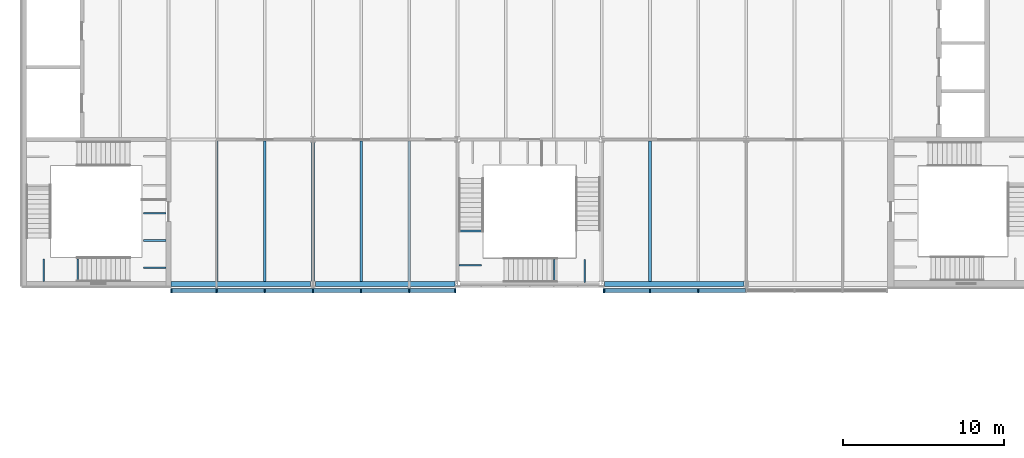
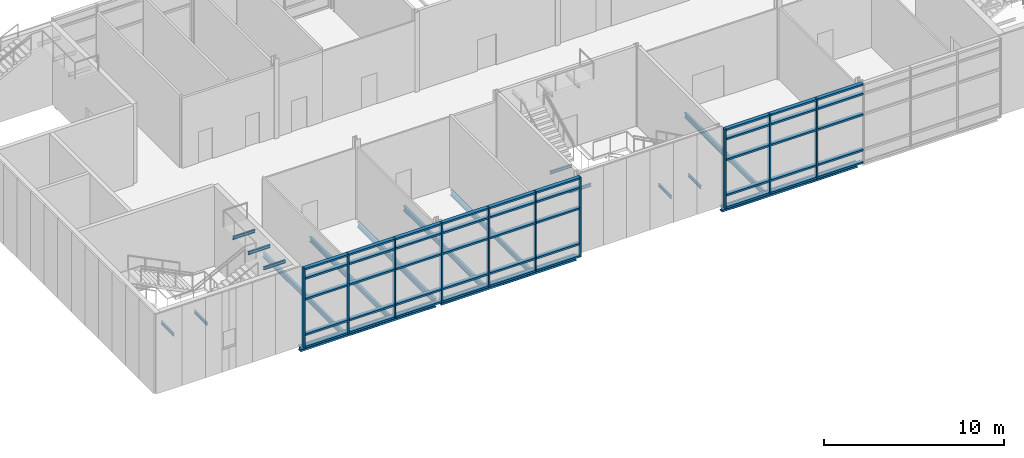
# One storey, part 13 of 52: 55 members, 18 beams, 2 elements without a shape of their own.
"""IFC4 building model written with IfcOpenShell, lengths in metres."""

from ifc_helpers import new_model, si_unit, direction, frame, origin, origin_2d, place, context, subcontext, project, spatial, rectangle, i_section, extrude, material, material_profile, profile_set, type_object, element, aggregate, save


model = new_model("IFC4")

# Units and contexts
model_context = context("Model", 3, precision=1e-05, world=origin(), true_north=direction((0.0, 1.0)))
body_context = subcontext(model_context, "Body", "Model", "MODEL_VIEW")
ifc_project = project(units=[si_unit("LENGTHUNIT", "METRE"), si_unit("AREAUNIT", "SQUARE_METRE"), si_unit("VOLUMEUNIT", "CUBIC_METRE"), si_unit("PLANEANGLEUNIT", "RADIAN"), si_unit("MASSUNIT", "GRAM", prefix="KILO")], contexts=[model_context])

# Site, building, storey
site_placement = place(None, origin())
site = spatial("IfcSite", under=ifc_project, at=site_placement, CompositionType="ELEMENT")
building_placement = place(site_placement, origin())
building = spatial("IfcBuilding", under=site, at=building_placement, Name="Azimuth Sports and Learning Centre", CompositionType="ELEMENT")
storey_placement = place(building_placement, frame((0.0, 0.0, 16.199951171875)))
storey = spatial("IfcBuildingStorey", under=building, at=storey_placement, Name="L03", CompositionType="ELEMENT", Elevation=16.199951171875)

# Beams
ifc_material_1 = material(Name="Steel S355", Category="steel")
ifc_material_profile_1 = material_profile(ifc_material_1, i_section(OverallWidth=0.10009765625, OverallDepth=0.199951171875, WebThickness=0.005615234375, FlangeThickness=0.008544921875, FilletRadius=0.011962890625, at=origin_2d()), Name="IPE 200")
ifc_profile_set_1 = profile_set([ifc_material_profile_1], Name="Steel S355")
beam_type_1 = type_object("IfcBeamType", Name="Beam IPE 200", PredefinedType="BEAM", material=ifc_profile_set_1)
for number, where, z_axis, x_axis, name in (
    (1, (1.222412109375, 90.14990234375, 3.300048828125), (0.0, 1.0, 0.0), (-1.0, 0.0, 0.0), "Landing bracket WW1 L03 742"),
    (2, (3.347412109375, 90.14990234375, 3.300048828125), (0.0, 1.0, 0.0), (-1.0, 0.0, 0.0), "Landing bracket WW1 L03 743"),
    (3, (8.85009765625, 91.00830078125, 5.10009765625), (-1.0, 0.0, 0.0), (0.0, -1.0, 0.0), "Landing bracket WW1 L03 744"),
    (4, (8.85009765625, 92.705078125, 5.10009765625), (-1.0, 0.0, 0.0), (0.0, -1.0, 0.0), "Landing bracket WW1 L03 745"),
    (5, (8.85009765625, 94.401611328125, 5.10009765625), (-1.0, 0.0, 0.0), (0.0, -1.0, 0.0), "Landing bracket WW1 L03 746"),
):
    element("IfcBeam", number, at=place(storey_placement, frame(where, z_axis=z_axis, x_axis=x_axis)), inside=storey, type_object=beam_type_1, Name=name, PredefinedType="BEAM", context=body_context, shape_type="SweptSolid", body=[
        extrude(i_section(OverallWidth=0.10009765625, OverallDepth=0.199951171875, WebThickness=0.005615234375, FlangeThickness=0.008544921875, FilletRadius=0.011962890625, at=origin_2d()), origin(), (0.0, 0.0, 1.0), 1.41015625),
    ])
for number, where, z_axis, x_axis, name in (
    (6, (33.0400390625, 90.10009765625, 1.5), (0.0, 1.0, 0.0), (-1.0, 0.0, 0.0), "Landing bracket WM1 L03 876"),
    (7, (34.93994140625, 90.10009765625, 1.5), (0.0, 1.0, 0.0), (-1.0, 0.0, 0.0), "Landing bracket WM1 L03 877"),
    (8, (27.10009765625, 91.172607421875, 3.300048828125), (1.0, 0.0, 0.0), (0.0, 1.0, 0.0), "Landing bracket WM1 L03 878"),
    (9, (27.10009765625, 93.297607421875, 3.300048828125), (1.0, 0.0, 0.0), (0.0, 1.0, 0.0), "Landing bracket WM1 L03 879"),
):
    element("IfcBeam", number, at=place(storey_placement, frame(where, z_axis=z_axis, x_axis=x_axis)), inside=storey, type_object=beam_type_1, Name=name, PredefinedType="BEAM", context=body_context, shape_type="SweptSolid", body=[
        extrude(i_section(OverallWidth=0.10009765625, OverallDepth=0.199951171875, WebThickness=0.005615234375, FlangeThickness=0.008544921875, FilletRadius=0.011962890625, at=origin_2d()), origin(), (0.0, 0.0, 1.0), 1.409912109375),
    ])
ifc_material_2 = material(Name="Steel S355", Category="steel")
ifc_material_profile_2 = material_profile(ifc_material_2, i_section(OverallWidth=0.169921875, OverallDepth=0.360107421875, WebThickness=0.008056640625, FlangeThickness=0.0126953125, FilletRadius=0.01806640625, at=origin_2d()), Name="IPE 360")
ifc_profile_set_2 = profile_set([ifc_material_profile_2], Name="Steel S355")
beam_type_2 = type_object("IfcBeamType", Name="Beam IPE 360", PredefinedType="BEAM", material=ifc_profile_set_2)
beam_placement = place(storey_placement, frame((18.0, 90.179931640625, -0.329833984375), z_axis=(0.0, 1.0, 0.0), x_axis=(-1.0, 0.0, 0.0)))
element("IfcBeam", 10, at=beam_placement, inside=storey, type_object=beam_type_2, Name="Beam L03 WW 18", PredefinedType="BEAM", context=body_context, shape_type="SweptSolid", body=[
    extrude(i_section(OverallWidth=0.169921875, OverallDepth=0.360107421875, WebThickness=0.008056640625, FlangeThickness=0.0126953125, FilletRadius=0.01806640625, at=origin_2d()), origin(), (0.0, 0.0, 1.0), 8.64013671875),
])
ifc_material_3 = material(Name="Steel S355", Category="steel")
ifc_material_profile_3 = material_profile(ifc_material_3, i_section(OverallWidth=0.300048828125, OverallDepth=0.31005859375, WebThickness=0.009033203125, FlangeThickness=0.015380859375, FilletRadius=0.027099609375, at=origin_2d()), Name="HEA 320")
ifc_profile_set_3 = profile_set([ifc_material_profile_3], Name="Steel S355")
beam_type_3 = type_object("IfcBeamType", Name="Edge beam HEA 320", PredefinedType="SPANDREL", material=ifc_profile_set_3)
for number, where, z_axis, x_axis, name in (
    (11, (9.14990234375, 90.0, -0.304931640625), (1.0, 0.0, 0.0), (0.0, 1.0, 0.0), "Edge beam L03 WW 1"),
    (12, (18.14990234375, 90.0, -0.304931640625), (1.0, 0.0, 0.0), (0.0, 1.0, 0.0), "Edge beam L03 WW 2"),
    (13, (36.14990234375, 90.0, -0.304931640625), (1.0, 0.0, 0.0), (0.0, 1.0, 0.0), "Edge beam L03 WW 3"),
):
    element("IfcBeam", number, at=place(storey_placement, frame(where, z_axis=z_axis, x_axis=x_axis)), inside=storey, type_object=beam_type_3, Name=name, PredefinedType="SPANDREL", context=body_context, shape_type="SweptSolid", body=[
        extrude(i_section(OverallWidth=0.300048828125, OverallDepth=0.31005859375, WebThickness=0.009033203125, FlangeThickness=0.015380859375, FilletRadius=0.027099609375, at=origin_2d()), origin(), (0.0, 0.0, 1.0), 8.7001953125),
    ])
ifc_material_4 = material(Name="Steel S355", Category="steel")
ifc_material_profile_4 = material_profile(ifc_material_4, i_section(OverallWidth=0.159912109375, OverallDepth=0.330078125, WebThickness=0.007568359375, FlangeThickness=0.011474609375, FilletRadius=0.01806640625, at=origin_2d()), Name="IPE 330")
ifc_profile_set_4 = profile_set([ifc_material_profile_4], Name="Steel S355")
beam_type_4 = type_object("IfcBeamType", Name="Joist IPE 330", PredefinedType="JOIST", material=ifc_profile_set_4)
for number, where, z_axis, x_axis, name in (
    (14, (12.0, 90.14990234375, -0.31494140625), (0.0, 1.0, 0.0), (-1.0, 0.0, 0.0), "Joist L03 WW 28"),
    (15, (15.0, 90.14990234375, -0.31494140625), (0.0, 1.0, 0.0), (-1.0, 0.0, 0.0), "Joist L03 WW 31"),
    (16, (21.0, 90.14990234375, -0.31494140625), (0.0, 1.0, 0.0), (-1.0, 0.0, 0.0), "Joist L03 WW 34"),
    (17, (24.0, 90.14990234375, -0.31494140625), (0.0, 1.0, 0.0), (-1.0, 0.0, 0.0), "Joist L03 WW 37"),
    (18, (39.0, 90.14990234375, -0.31494140625), (0.0, 1.0, 0.0), (-1.0, 0.0, 0.0), "Joist L03 WW 42"),
):
    element("IfcBeam", number, at=place(storey_placement, frame(where, z_axis=z_axis, x_axis=x_axis)), inside=storey, type_object=beam_type_4, Name=name, PredefinedType="JOIST", context=body_context, shape_type="SweptSolid", body=[
        extrude(i_section(OverallWidth=0.159912109375, OverallDepth=0.330078125, WebThickness=0.007568359375, FlangeThickness=0.011474609375, FilletRadius=0.01806640625, at=origin_2d()), origin(), (0.0, 0.0, 1.0), 8.75),
    ])

# Curtain wall, members
ifc_material_5 = material(Name="Aluminium and glass", Category="aluminium")
curtain_wall_type = type_object("IfcCurtainWallType", Name="Curtain wall podium wing 240", PredefinedType="NOTDEFINED", material=ifc_material_5)
curtain_wall_1_placement = place(storey_placement, origin())
curtain_wall_1 = element("IfcCurtainWall", 19, at=curtain_wall_1_placement, inside=storey, type_object=curtain_wall_type, Name="Curtain wall CW03-001", PredefinedType="NOTDEFINED")
ifc_material_6 = material(Name="Aluminium", Category="aluminium")
ifc_material_profile_5 = material_profile(ifc_material_6, rectangle(XDim=0.239990234375, YDim=0.080078125, at=origin_2d()), Name="Mullion 80x240")
ifc_profile_set_5 = profile_set([ifc_material_profile_5], Name="Aluminium")
member_type_1 = type_object("IfcMemberType", Name="Mullion 80x240", PredefinedType="MULLION", material=ifc_profile_set_5)
member_1_placement = place(storey_placement, frame((9.18994140625, 89.580078125, 0.0), z_axis=(0.0, 0.0, 1.0), x_axis=(0.0, 1.0, 0.0)))
member_1 = element("IfcMember", 20, at=member_1_placement, type_object=member_type_1, Name="CW03-001 mullion 1", PredefinedType="MULLION", context=body_context, shape_type="SweptSolid", body=[
    extrude(rectangle(XDim=0.239990234375, YDim=0.080078125, at=origin_2d()), origin(), (0.0, 0.0, 1.0), 5.400146484375),
])
member_2_placement = place(storey_placement, frame((12.0, 89.580078125, 0.0), z_axis=(0.0, 0.0, 1.0), x_axis=(0.0, 1.0, 0.0)))
member_2 = element("IfcMember", 21, at=member_2_placement, type_object=member_type_1, Name="CW03-001 mullion 2", PredefinedType="MULLION", context=body_context, shape_type="SweptSolid", body=[
    extrude(rectangle(XDim=0.239990234375, YDim=0.080078125, at=origin_2d()), origin(), (0.0, 0.0, 1.0), 5.400146484375),
])
member_3_placement = place(storey_placement, frame((15.0, 89.580078125, 0.0), z_axis=(0.0, 0.0, 1.0), x_axis=(0.0, 1.0, 0.0)))
member_3 = element("IfcMember", 22, at=member_3_placement, type_object=member_type_1, Name="CW03-001 mullion 3", PredefinedType="MULLION", context=body_context, shape_type="SweptSolid", body=[
    extrude(rectangle(XDim=0.239990234375, YDim=0.080078125, at=origin_2d()), origin(), (0.0, 0.0, 1.0), 5.400146484375),
])
member_4_placement = place(storey_placement, frame((18.0, 89.580078125, 0.0), z_axis=(0.0, 0.0, 1.0), x_axis=(0.0, 1.0, 0.0)))
member_4 = element("IfcMember", 23, at=member_4_placement, type_object=member_type_1, Name="CW03-001 mullion 4", PredefinedType="MULLION", context=body_context, shape_type="SweptSolid", body=[
    extrude(rectangle(XDim=0.239990234375, YDim=0.080078125, at=origin_2d()), origin(), (0.0, 0.0, 1.0), 5.400146484375),
])
member_5_placement = place(storey_placement, frame((21.0, 89.580078125, 0.0), z_axis=(0.0, 0.0, 1.0), x_axis=(0.0, 1.0, 0.0)))
member_5 = element("IfcMember", 24, at=member_5_placement, type_object=member_type_1, Name="CW03-001 mullion 5", PredefinedType="MULLION", context=body_context, shape_type="SweptSolid", body=[
    extrude(rectangle(XDim=0.239990234375, YDim=0.080078125, at=origin_2d()), origin(), (0.0, 0.0, 1.0), 5.400146484375),
])
member_6_placement = place(storey_placement, frame((24.0, 89.580078125, 0.0), z_axis=(0.0, 0.0, 1.0), x_axis=(0.0, 1.0, 0.0)))
member_6 = element("IfcMember", 25, at=member_6_placement, type_object=member_type_1, Name="CW03-001 mullion 6", PredefinedType="MULLION", context=body_context, shape_type="SweptSolid", body=[
    extrude(rectangle(XDim=0.239990234375, YDim=0.080078125, at=origin_2d()), origin(), (0.0, 0.0, 1.0), 5.400146484375),
])
member_7_placement = place(storey_placement, frame((26.860107421875, 89.580078125, 0.0), z_axis=(0.0, 0.0, 1.0), x_axis=(0.0, 1.0, 0.0)))
member_7 = element("IfcMember", 26, at=member_7_placement, type_object=member_type_1, Name="CW03-001 mullion 7", PredefinedType="MULLION", context=body_context, shape_type="SweptSolid", body=[
    extrude(rectangle(XDim=0.239990234375, YDim=0.080078125, at=origin_2d()), origin(), (0.0, 0.0, 1.0), 5.400146484375),
])

curtain_wall_2_placement = place(storey_placement, origin())
curtain_wall_2 = element("IfcCurtainWall", 27, at=curtain_wall_2_placement, inside=storey, type_object=curtain_wall_type, Name="Curtain wall CW03-002", PredefinedType="NOTDEFINED")
member_8_placement = place(storey_placement, frame((36.139892578125, 89.580078125, 0.0), z_axis=(0.0, 0.0, 1.0), x_axis=(0.0, 1.0, 0.0)))
member_8 = element("IfcMember", 28, at=member_8_placement, type_object=member_type_1, Name="CW03-002 mullion 1", PredefinedType="MULLION", context=body_context, shape_type="SweptSolid", body=[
    extrude(rectangle(XDim=0.239990234375, YDim=0.080078125, at=origin_2d()), origin(), (0.0, 0.0, 1.0), 5.400146484375),
])
member_9_placement = place(storey_placement, frame((39.0, 89.580078125, 0.0), z_axis=(0.0, 0.0, 1.0), x_axis=(0.0, 1.0, 0.0)))
member_9 = element("IfcMember", 29, at=member_9_placement, type_object=member_type_1, Name="CW03-002 mullion 2", PredefinedType="MULLION", context=body_context, shape_type="SweptSolid", body=[
    extrude(rectangle(XDim=0.239990234375, YDim=0.080078125, at=origin_2d()), origin(), (0.0, 0.0, 1.0), 5.400146484375),
])
member_10_placement = place(storey_placement, frame((42.0, 89.580078125, 0.0), z_axis=(0.0, 0.0, 1.0), x_axis=(0.0, 1.0, 0.0)))
member_10 = element("IfcMember", 30, at=member_10_placement, type_object=member_type_1, Name="CW03-002 mullion 3", PredefinedType="MULLION", context=body_context, shape_type="SweptSolid", body=[
    extrude(rectangle(XDim=0.239990234375, YDim=0.080078125, at=origin_2d()), origin(), (0.0, 0.0, 1.0), 5.400146484375),
])

# Member
ifc_material_7 = material(Name="Aluminium", Category="aluminium")
ifc_material_profile_6 = material_profile(ifc_material_7, rectangle(XDim=0.239990234375, YDim=0.1201171875, at=origin_2d()), Name="Transom 120x240")
ifc_profile_set_6 = profile_set([ifc_material_profile_6], Name="Aluminium")
member_type_2 = type_object("IfcMemberType", Name="Transom 120x240", PredefinedType="USERDEFINED", material=ifc_profile_set_6)
member_11_placement = place(storey_placement, frame((9.22998046875, 89.580078125, 0.06005859375), z_axis=(1.0, 0.0, 0.0), x_axis=(0.0, 1.0, 0.0)))
member_11 = element("IfcMember", 31, at=member_11_placement, type_object=member_type_2, Name="CW03-001 transom 1.1", ObjectType="TRANSOM", PredefinedType="USERDEFINED", context=body_context, shape_type="SweptSolid", body=[
    extrude(rectangle(XDim=0.239990234375, YDim=0.1201171875, at=origin_2d()), origin(), (0.0, 0.0, 1.0), 2.72998046875),
])

member_12_placement = place(storey_placement, frame((9.22998046875, 89.580078125, 0.900146484375), z_axis=(1.0, 0.0, 0.0), x_axis=(0.0, 1.0, 0.0)))
member_12 = element("IfcMember", 32, at=member_12_placement, type_object=member_type_2, Name="CW03-001 transom 1.2", ObjectType="TRANSOM", PredefinedType="USERDEFINED", context=body_context, shape_type="SweptSolid", body=[
    extrude(rectangle(XDim=0.239990234375, YDim=0.1201171875, at=origin_2d()), origin(), (0.0, 0.0, 1.0), 2.72998046875),
])

member_13_placement = place(storey_placement, frame((9.22998046875, 89.580078125, 3.300048828125), z_axis=(1.0, 0.0, 0.0), x_axis=(0.0, 1.0, 0.0)))
member_13 = element("IfcMember", 33, at=member_13_placement, type_object=member_type_2, Name="CW03-001 transom 1.3", ObjectType="TRANSOM", PredefinedType="USERDEFINED", context=body_context, shape_type="SweptSolid", body=[
    extrude(rectangle(XDim=0.239990234375, YDim=0.1201171875, at=origin_2d()), origin(), (0.0, 0.0, 1.0), 2.72998046875),
])

member_14_placement = place(storey_placement, frame((9.22998046875, 89.580078125, 4.699951171875), z_axis=(1.0, 0.0, 0.0), x_axis=(0.0, 1.0, 0.0)))
member_14 = element("IfcMember", 34, at=member_14_placement, type_object=member_type_2, Name="CW03-001 transom 1.4", ObjectType="TRANSOM", PredefinedType="USERDEFINED", context=body_context, shape_type="SweptSolid", body=[
    extrude(rectangle(XDim=0.239990234375, YDim=0.1201171875, at=origin_2d()), origin(), (0.0, 0.0, 1.0), 2.72998046875),
])

member_15_placement = place(storey_placement, frame((9.22998046875, 89.580078125, 5.340087890625), z_axis=(1.0, 0.0, 0.0), x_axis=(0.0, 1.0, 0.0)))
member_15 = element("IfcMember", 35, at=member_15_placement, type_object=member_type_2, Name="CW03-001 transom 1.5", ObjectType="TRANSOM", PredefinedType="USERDEFINED", context=body_context, shape_type="SweptSolid", body=[
    extrude(rectangle(XDim=0.239990234375, YDim=0.1201171875, at=origin_2d()), origin(), (0.0, 0.0, 1.0), 2.72998046875),
])

member_16_placement = place(storey_placement, frame((12.0400390625, 89.580078125, 0.06005859375), z_axis=(1.0, 0.0, 0.0), x_axis=(0.0, 1.0, 0.0)))
member_16 = element("IfcMember", 36, at=member_16_placement, type_object=member_type_2, Name="CW03-001 transom 2.1", ObjectType="TRANSOM", PredefinedType="USERDEFINED", context=body_context, shape_type="SweptSolid", body=[
    extrude(rectangle(XDim=0.239990234375, YDim=0.1201171875, at=origin_2d()), origin(), (0.0, 0.0, 1.0), 2.919921875),
])

member_17_placement = place(storey_placement, frame((12.0400390625, 89.580078125, 0.900146484375), z_axis=(1.0, 0.0, 0.0), x_axis=(0.0, 1.0, 0.0)))
member_17 = element("IfcMember", 37, at=member_17_placement, type_object=member_type_2, Name="CW03-001 transom 2.2", ObjectType="TRANSOM", PredefinedType="USERDEFINED", context=body_context, shape_type="SweptSolid", body=[
    extrude(rectangle(XDim=0.239990234375, YDim=0.1201171875, at=origin_2d()), origin(), (0.0, 0.0, 1.0), 2.919921875),
])

member_18_placement = place(storey_placement, frame((12.0400390625, 89.580078125, 3.300048828125), z_axis=(1.0, 0.0, 0.0), x_axis=(0.0, 1.0, 0.0)))
member_18 = element("IfcMember", 38, at=member_18_placement, type_object=member_type_2, Name="CW03-001 transom 2.3", ObjectType="TRANSOM", PredefinedType="USERDEFINED", context=body_context, shape_type="SweptSolid", body=[
    extrude(rectangle(XDim=0.239990234375, YDim=0.1201171875, at=origin_2d()), origin(), (0.0, 0.0, 1.0), 2.919921875),
])

member_19_placement = place(storey_placement, frame((12.0400390625, 89.580078125, 4.699951171875), z_axis=(1.0, 0.0, 0.0), x_axis=(0.0, 1.0, 0.0)))
member_19 = element("IfcMember", 39, at=member_19_placement, type_object=member_type_2, Name="CW03-001 transom 2.4", ObjectType="TRANSOM", PredefinedType="USERDEFINED", context=body_context, shape_type="SweptSolid", body=[
    extrude(rectangle(XDim=0.239990234375, YDim=0.1201171875, at=origin_2d()), origin(), (0.0, 0.0, 1.0), 2.919921875),
])

member_20_placement = place(storey_placement, frame((12.0400390625, 89.580078125, 5.340087890625), z_axis=(1.0, 0.0, 0.0), x_axis=(0.0, 1.0, 0.0)))
member_20 = element("IfcMember", 40, at=member_20_placement, type_object=member_type_2, Name="CW03-001 transom 2.5", ObjectType="TRANSOM", PredefinedType="USERDEFINED", context=body_context, shape_type="SweptSolid", body=[
    extrude(rectangle(XDim=0.239990234375, YDim=0.1201171875, at=origin_2d()), origin(), (0.0, 0.0, 1.0), 2.919921875),
])

member_21_placement = place(storey_placement, frame((15.0400390625, 89.580078125, 0.06005859375), z_axis=(1.0, 0.0, 0.0), x_axis=(0.0, 1.0, 0.0)))
member_21 = element("IfcMember", 41, at=member_21_placement, type_object=member_type_2, Name="CW03-001 transom 3.1", ObjectType="TRANSOM", PredefinedType="USERDEFINED", context=body_context, shape_type="SweptSolid", body=[
    extrude(rectangle(XDim=0.239990234375, YDim=0.1201171875, at=origin_2d()), origin(), (0.0, 0.0, 1.0), 2.919921875),
])

member_22_placement = place(storey_placement, frame((15.0400390625, 89.580078125, 0.900146484375), z_axis=(1.0, 0.0, 0.0), x_axis=(0.0, 1.0, 0.0)))
member_22 = element("IfcMember", 42, at=member_22_placement, type_object=member_type_2, Name="CW03-001 transom 3.2", ObjectType="TRANSOM", PredefinedType="USERDEFINED", context=body_context, shape_type="SweptSolid", body=[
    extrude(rectangle(XDim=0.239990234375, YDim=0.1201171875, at=origin_2d()), origin(), (0.0, 0.0, 1.0), 2.919921875),
])

member_23_placement = place(storey_placement, frame((15.0400390625, 89.580078125, 3.300048828125), z_axis=(1.0, 0.0, 0.0), x_axis=(0.0, 1.0, 0.0)))
member_23 = element("IfcMember", 43, at=member_23_placement, type_object=member_type_2, Name="CW03-001 transom 3.3", ObjectType="TRANSOM", PredefinedType="USERDEFINED", context=body_context, shape_type="SweptSolid", body=[
    extrude(rectangle(XDim=0.239990234375, YDim=0.1201171875, at=origin_2d()), origin(), (0.0, 0.0, 1.0), 2.919921875),
])

member_24_placement = place(storey_placement, frame((15.0400390625, 89.580078125, 4.699951171875), z_axis=(1.0, 0.0, 0.0), x_axis=(0.0, 1.0, 0.0)))
member_24 = element("IfcMember", 44, at=member_24_placement, type_object=member_type_2, Name="CW03-001 transom 3.4", ObjectType="TRANSOM", PredefinedType="USERDEFINED", context=body_context, shape_type="SweptSolid", body=[
    extrude(rectangle(XDim=0.239990234375, YDim=0.1201171875, at=origin_2d()), origin(), (0.0, 0.0, 1.0), 2.919921875),
])

member_25_placement = place(storey_placement, frame((15.0400390625, 89.580078125, 5.340087890625), z_axis=(1.0, 0.0, 0.0), x_axis=(0.0, 1.0, 0.0)))
member_25 = element("IfcMember", 45, at=member_25_placement, type_object=member_type_2, Name="CW03-001 transom 3.5", ObjectType="TRANSOM", PredefinedType="USERDEFINED", context=body_context, shape_type="SweptSolid", body=[
    extrude(rectangle(XDim=0.239990234375, YDim=0.1201171875, at=origin_2d()), origin(), (0.0, 0.0, 1.0), 2.919921875),
])

member_26_placement = place(storey_placement, frame((18.0400390625, 89.580078125, 0.06005859375), z_axis=(1.0, 0.0, 0.0), x_axis=(0.0, 1.0, 0.0)))
member_26 = element("IfcMember", 46, at=member_26_placement, type_object=member_type_2, Name="CW03-001 transom 4.1", ObjectType="TRANSOM", PredefinedType="USERDEFINED", context=body_context, shape_type="SweptSolid", body=[
    extrude(rectangle(XDim=0.239990234375, YDim=0.1201171875, at=origin_2d()), origin(), (0.0, 0.0, 1.0), 2.919921875),
])

member_27_placement = place(storey_placement, frame((18.0400390625, 89.580078125, 0.900146484375), z_axis=(1.0, 0.0, 0.0), x_axis=(0.0, 1.0, 0.0)))
member_27 = element("IfcMember", 47, at=member_27_placement, type_object=member_type_2, Name="CW03-001 transom 4.2", ObjectType="TRANSOM", PredefinedType="USERDEFINED", context=body_context, shape_type="SweptSolid", body=[
    extrude(rectangle(XDim=0.239990234375, YDim=0.1201171875, at=origin_2d()), origin(), (0.0, 0.0, 1.0), 2.919921875),
])

member_28_placement = place(storey_placement, frame((18.0400390625, 89.580078125, 3.300048828125), z_axis=(1.0, 0.0, 0.0), x_axis=(0.0, 1.0, 0.0)))
member_28 = element("IfcMember", 48, at=member_28_placement, type_object=member_type_2, Name="CW03-001 transom 4.3", ObjectType="TRANSOM", PredefinedType="USERDEFINED", context=body_context, shape_type="SweptSolid", body=[
    extrude(rectangle(XDim=0.239990234375, YDim=0.1201171875, at=origin_2d()), origin(), (0.0, 0.0, 1.0), 2.919921875),
])

member_29_placement = place(storey_placement, frame((18.0400390625, 89.580078125, 4.699951171875), z_axis=(1.0, 0.0, 0.0), x_axis=(0.0, 1.0, 0.0)))
member_29 = element("IfcMember", 49, at=member_29_placement, type_object=member_type_2, Name="CW03-001 transom 4.4", ObjectType="TRANSOM", PredefinedType="USERDEFINED", context=body_context, shape_type="SweptSolid", body=[
    extrude(rectangle(XDim=0.239990234375, YDim=0.1201171875, at=origin_2d()), origin(), (0.0, 0.0, 1.0), 2.919921875),
])

member_30_placement = place(storey_placement, frame((18.0400390625, 89.580078125, 5.340087890625), z_axis=(1.0, 0.0, 0.0), x_axis=(0.0, 1.0, 0.0)))
member_30 = element("IfcMember", 50, at=member_30_placement, type_object=member_type_2, Name="CW03-001 transom 4.5", ObjectType="TRANSOM", PredefinedType="USERDEFINED", context=body_context, shape_type="SweptSolid", body=[
    extrude(rectangle(XDim=0.239990234375, YDim=0.1201171875, at=origin_2d()), origin(), (0.0, 0.0, 1.0), 2.919921875),
])

member_31_placement = place(storey_placement, frame((21.0400390625, 89.580078125, 0.06005859375), z_axis=(1.0, 0.0, 0.0), x_axis=(0.0, 1.0, 0.0)))
member_31 = element("IfcMember", 51, at=member_31_placement, type_object=member_type_2, Name="CW03-001 transom 5.1", ObjectType="TRANSOM", PredefinedType="USERDEFINED", context=body_context, shape_type="SweptSolid", body=[
    extrude(rectangle(XDim=0.239990234375, YDim=0.1201171875, at=origin_2d()), origin(), (0.0, 0.0, 1.0), 2.919921875),
])

member_32_placement = place(storey_placement, frame((21.0400390625, 89.580078125, 0.900146484375), z_axis=(1.0, 0.0, 0.0), x_axis=(0.0, 1.0, 0.0)))
member_32 = element("IfcMember", 52, at=member_32_placement, type_object=member_type_2, Name="CW03-001 transom 5.2", ObjectType="TRANSOM", PredefinedType="USERDEFINED", context=body_context, shape_type="SweptSolid", body=[
    extrude(rectangle(XDim=0.239990234375, YDim=0.1201171875, at=origin_2d()), origin(), (0.0, 0.0, 1.0), 2.919921875),
])

member_33_placement = place(storey_placement, frame((21.0400390625, 89.580078125, 3.300048828125), z_axis=(1.0, 0.0, 0.0), x_axis=(0.0, 1.0, 0.0)))
member_33 = element("IfcMember", 53, at=member_33_placement, type_object=member_type_2, Name="CW03-001 transom 5.3", ObjectType="TRANSOM", PredefinedType="USERDEFINED", context=body_context, shape_type="SweptSolid", body=[
    extrude(rectangle(XDim=0.239990234375, YDim=0.1201171875, at=origin_2d()), origin(), (0.0, 0.0, 1.0), 2.919921875),
])

member_34_placement = place(storey_placement, frame((21.0400390625, 89.580078125, 4.699951171875), z_axis=(1.0, 0.0, 0.0), x_axis=(0.0, 1.0, 0.0)))
member_34 = element("IfcMember", 54, at=member_34_placement, type_object=member_type_2, Name="CW03-001 transom 5.4", ObjectType="TRANSOM", PredefinedType="USERDEFINED", context=body_context, shape_type="SweptSolid", body=[
    extrude(rectangle(XDim=0.239990234375, YDim=0.1201171875, at=origin_2d()), origin(), (0.0, 0.0, 1.0), 2.919921875),
])

member_35_placement = place(storey_placement, frame((21.0400390625, 89.580078125, 5.340087890625), z_axis=(1.0, 0.0, 0.0), x_axis=(0.0, 1.0, 0.0)))
member_35 = element("IfcMember", 55, at=member_35_placement, type_object=member_type_2, Name="CW03-001 transom 5.5", ObjectType="TRANSOM", PredefinedType="USERDEFINED", context=body_context, shape_type="SweptSolid", body=[
    extrude(rectangle(XDim=0.239990234375, YDim=0.1201171875, at=origin_2d()), origin(), (0.0, 0.0, 1.0), 2.919921875),
])

member_36_placement = place(storey_placement, frame((24.0400390625, 89.580078125, 0.06005859375), z_axis=(1.0, 0.0, 0.0), x_axis=(0.0, 1.0, 0.0)))
member_36 = element("IfcMember", 56, at=member_36_placement, type_object=member_type_2, Name="CW03-001 transom 6.1", ObjectType="TRANSOM", PredefinedType="USERDEFINED", context=body_context, shape_type="SweptSolid", body=[
    extrude(rectangle(XDim=0.239990234375, YDim=0.1201171875, at=origin_2d()), origin(), (0.0, 0.0, 1.0), 2.780029296875),
])

member_37_placement = place(storey_placement, frame((24.0400390625, 89.580078125, 0.900146484375), z_axis=(1.0, 0.0, 0.0), x_axis=(0.0, 1.0, 0.0)))
member_37 = element("IfcMember", 57, at=member_37_placement, type_object=member_type_2, Name="CW03-001 transom 6.2", ObjectType="TRANSOM", PredefinedType="USERDEFINED", context=body_context, shape_type="SweptSolid", body=[
    extrude(rectangle(XDim=0.239990234375, YDim=0.1201171875, at=origin_2d()), origin(), (0.0, 0.0, 1.0), 2.780029296875),
])

member_38_placement = place(storey_placement, frame((24.0400390625, 89.580078125, 3.300048828125), z_axis=(1.0, 0.0, 0.0), x_axis=(0.0, 1.0, 0.0)))
member_38 = element("IfcMember", 58, at=member_38_placement, type_object=member_type_2, Name="CW03-001 transom 6.3", ObjectType="TRANSOM", PredefinedType="USERDEFINED", context=body_context, shape_type="SweptSolid", body=[
    extrude(rectangle(XDim=0.239990234375, YDim=0.1201171875, at=origin_2d()), origin(), (0.0, 0.0, 1.0), 2.780029296875),
])

member_39_placement = place(storey_placement, frame((24.0400390625, 89.580078125, 4.699951171875), z_axis=(1.0, 0.0, 0.0), x_axis=(0.0, 1.0, 0.0)))
member_39 = element("IfcMember", 59, at=member_39_placement, type_object=member_type_2, Name="CW03-001 transom 6.4", ObjectType="TRANSOM", PredefinedType="USERDEFINED", context=body_context, shape_type="SweptSolid", body=[
    extrude(rectangle(XDim=0.239990234375, YDim=0.1201171875, at=origin_2d()), origin(), (0.0, 0.0, 1.0), 2.780029296875),
])

member_40_placement = place(storey_placement, frame((24.0400390625, 89.580078125, 5.340087890625), z_axis=(1.0, 0.0, 0.0), x_axis=(0.0, 1.0, 0.0)))
member_40 = element("IfcMember", 60, at=member_40_placement, type_object=member_type_2, Name="CW03-001 transom 6.5", ObjectType="TRANSOM", PredefinedType="USERDEFINED", context=body_context, shape_type="SweptSolid", body=[
    extrude(rectangle(XDim=0.239990234375, YDim=0.1201171875, at=origin_2d()), origin(), (0.0, 0.0, 1.0), 2.780029296875),
])

aggregate(curtain_wall_1, [member_1, member_2, member_3, member_4, member_5, member_6, member_7, member_11, member_12, member_13, member_14, member_15, member_16, member_17, member_18, member_19, member_20, member_21, member_22, member_23, member_24, member_25, member_26, member_27, member_28, member_29, member_30, member_31, member_32, member_33, member_34, member_35, member_36, member_37, member_38, member_39, member_40])

member_41_placement = place(storey_placement, frame((36.179931640625, 89.580078125, 0.06005859375), z_axis=(1.0, 0.0, 0.0), x_axis=(0.0, 1.0, 0.0)))
member_41 = element("IfcMember", 61, at=member_41_placement, type_object=member_type_2, Name="CW03-002 transom 1.1", ObjectType="TRANSOM", PredefinedType="USERDEFINED", context=body_context, shape_type="SweptSolid", body=[
    extrude(rectangle(XDim=0.239990234375, YDim=0.1201171875, at=origin_2d()), origin(), (0.0, 0.0, 1.0), 2.780029296875),
])

member_42_placement = place(storey_placement, frame((36.179931640625, 89.580078125, 0.900146484375), z_axis=(1.0, 0.0, 0.0), x_axis=(0.0, 1.0, 0.0)))
member_42 = element("IfcMember", 62, at=member_42_placement, type_object=member_type_2, Name="CW03-002 transom 1.2", ObjectType="TRANSOM", PredefinedType="USERDEFINED", context=body_context, shape_type="SweptSolid", body=[
    extrude(rectangle(XDim=0.239990234375, YDim=0.1201171875, at=origin_2d()), origin(), (0.0, 0.0, 1.0), 2.780029296875),
])

member_43_placement = place(storey_placement, frame((36.179931640625, 89.580078125, 3.300048828125), z_axis=(1.0, 0.0, 0.0), x_axis=(0.0, 1.0, 0.0)))
member_43 = element("IfcMember", 63, at=member_43_placement, type_object=member_type_2, Name="CW03-002 transom 1.3", ObjectType="TRANSOM", PredefinedType="USERDEFINED", context=body_context, shape_type="SweptSolid", body=[
    extrude(rectangle(XDim=0.239990234375, YDim=0.1201171875, at=origin_2d()), origin(), (0.0, 0.0, 1.0), 2.780029296875),
])

member_44_placement = place(storey_placement, frame((36.179931640625, 89.580078125, 4.699951171875), z_axis=(1.0, 0.0, 0.0), x_axis=(0.0, 1.0, 0.0)))
member_44 = element("IfcMember", 64, at=member_44_placement, type_object=member_type_2, Name="CW03-002 transom 1.4", ObjectType="TRANSOM", PredefinedType="USERDEFINED", context=body_context, shape_type="SweptSolid", body=[
    extrude(rectangle(XDim=0.239990234375, YDim=0.1201171875, at=origin_2d()), origin(), (0.0, 0.0, 1.0), 2.780029296875),
])

member_45_placement = place(storey_placement, frame((36.179931640625, 89.580078125, 5.340087890625), z_axis=(1.0, 0.0, 0.0), x_axis=(0.0, 1.0, 0.0)))
member_45 = element("IfcMember", 65, at=member_45_placement, type_object=member_type_2, Name="CW03-002 transom 1.5", ObjectType="TRANSOM", PredefinedType="USERDEFINED", context=body_context, shape_type="SweptSolid", body=[
    extrude(rectangle(XDim=0.239990234375, YDim=0.1201171875, at=origin_2d()), origin(), (0.0, 0.0, 1.0), 2.780029296875),
])

member_46_placement = place(storey_placement, frame((39.0400390625, 89.580078125, 0.06005859375), z_axis=(1.0, 0.0, 0.0), x_axis=(0.0, 1.0, 0.0)))
member_46 = element("IfcMember", 66, at=member_46_placement, type_object=member_type_2, Name="CW03-002 transom 2.1", ObjectType="TRANSOM", PredefinedType="USERDEFINED", context=body_context, shape_type="SweptSolid", body=[
    extrude(rectangle(XDim=0.239990234375, YDim=0.1201171875, at=origin_2d()), origin(), (0.0, 0.0, 1.0), 2.919921875),
])

member_47_placement = place(storey_placement, frame((39.0400390625, 89.580078125, 0.900146484375), z_axis=(1.0, 0.0, 0.0), x_axis=(0.0, 1.0, 0.0)))
member_47 = element("IfcMember", 67, at=member_47_placement, type_object=member_type_2, Name="CW03-002 transom 2.2", ObjectType="TRANSOM", PredefinedType="USERDEFINED", context=body_context, shape_type="SweptSolid", body=[
    extrude(rectangle(XDim=0.239990234375, YDim=0.1201171875, at=origin_2d()), origin(), (0.0, 0.0, 1.0), 2.919921875),
])

member_48_placement = place(storey_placement, frame((39.0400390625, 89.580078125, 3.300048828125), z_axis=(1.0, 0.0, 0.0), x_axis=(0.0, 1.0, 0.0)))
member_48 = element("IfcMember", 68, at=member_48_placement, type_object=member_type_2, Name="CW03-002 transom 2.3", ObjectType="TRANSOM", PredefinedType="USERDEFINED", context=body_context, shape_type="SweptSolid", body=[
    extrude(rectangle(XDim=0.239990234375, YDim=0.1201171875, at=origin_2d()), origin(), (0.0, 0.0, 1.0), 2.919921875),
])

member_49_placement = place(storey_placement, frame((39.0400390625, 89.580078125, 4.699951171875), z_axis=(1.0, 0.0, 0.0), x_axis=(0.0, 1.0, 0.0)))
member_49 = element("IfcMember", 69, at=member_49_placement, type_object=member_type_2, Name="CW03-002 transom 2.4", ObjectType="TRANSOM", PredefinedType="USERDEFINED", context=body_context, shape_type="SweptSolid", body=[
    extrude(rectangle(XDim=0.239990234375, YDim=0.1201171875, at=origin_2d()), origin(), (0.0, 0.0, 1.0), 2.919921875),
])

member_50_placement = place(storey_placement, frame((39.0400390625, 89.580078125, 5.340087890625), z_axis=(1.0, 0.0, 0.0), x_axis=(0.0, 1.0, 0.0)))
member_50 = element("IfcMember", 70, at=member_50_placement, type_object=member_type_2, Name="CW03-002 transom 2.5", ObjectType="TRANSOM", PredefinedType="USERDEFINED", context=body_context, shape_type="SweptSolid", body=[
    extrude(rectangle(XDim=0.239990234375, YDim=0.1201171875, at=origin_2d()), origin(), (0.0, 0.0, 1.0), 2.919921875),
])

member_51_placement = place(storey_placement, frame((42.0400390625, 89.580078125, 0.06005859375), z_axis=(1.0, 0.0, 0.0), x_axis=(0.0, 1.0, 0.0)))
member_51 = element("IfcMember", 71, at=member_51_placement, type_object=member_type_2, Name="CW03-002 transom 3.1", ObjectType="TRANSOM", PredefinedType="USERDEFINED", context=body_context, shape_type="SweptSolid", body=[
    extrude(rectangle(XDim=0.239990234375, YDim=0.1201171875, at=origin_2d()), origin(), (0.0, 0.0, 1.0), 2.919921875),
])

member_52_placement = place(storey_placement, frame((42.0400390625, 89.580078125, 0.900146484375), z_axis=(1.0, 0.0, 0.0), x_axis=(0.0, 1.0, 0.0)))
member_52 = element("IfcMember", 72, at=member_52_placement, type_object=member_type_2, Name="CW03-002 transom 3.2", ObjectType="TRANSOM", PredefinedType="USERDEFINED", context=body_context, shape_type="SweptSolid", body=[
    extrude(rectangle(XDim=0.239990234375, YDim=0.1201171875, at=origin_2d()), origin(), (0.0, 0.0, 1.0), 2.919921875),
])

member_53_placement = place(storey_placement, frame((42.0400390625, 89.580078125, 3.300048828125), z_axis=(1.0, 0.0, 0.0), x_axis=(0.0, 1.0, 0.0)))
member_53 = element("IfcMember", 73, at=member_53_placement, type_object=member_type_2, Name="CW03-002 transom 3.3", ObjectType="TRANSOM", PredefinedType="USERDEFINED", context=body_context, shape_type="SweptSolid", body=[
    extrude(rectangle(XDim=0.239990234375, YDim=0.1201171875, at=origin_2d()), origin(), (0.0, 0.0, 1.0), 2.919921875),
])

member_54_placement = place(storey_placement, frame((42.0400390625, 89.580078125, 4.699951171875), z_axis=(1.0, 0.0, 0.0), x_axis=(0.0, 1.0, 0.0)))
member_54 = element("IfcMember", 74, at=member_54_placement, type_object=member_type_2, Name="CW03-002 transom 3.4", ObjectType="TRANSOM", PredefinedType="USERDEFINED", context=body_context, shape_type="SweptSolid", body=[
    extrude(rectangle(XDim=0.239990234375, YDim=0.1201171875, at=origin_2d()), origin(), (0.0, 0.0, 1.0), 2.919921875),
])

member_55_placement = place(storey_placement, frame((42.0400390625, 89.580078125, 5.340087890625), z_axis=(1.0, 0.0, 0.0), x_axis=(0.0, 1.0, 0.0)))
member_55 = element("IfcMember", 75, at=member_55_placement, type_object=member_type_2, Name="CW03-002 transom 3.5", ObjectType="TRANSOM", PredefinedType="USERDEFINED", context=body_context, shape_type="SweptSolid", body=[
    extrude(rectangle(XDim=0.239990234375, YDim=0.1201171875, at=origin_2d()), origin(), (0.0, 0.0, 1.0), 2.919921875),
])

aggregate(curtain_wall_2, [member_8, member_9, member_10, member_41, member_42, member_43, member_44, member_45, member_46, member_47, member_48, member_49, member_50, member_51, member_52, member_53, member_54, member_55])

save(model, "model.ifc")
